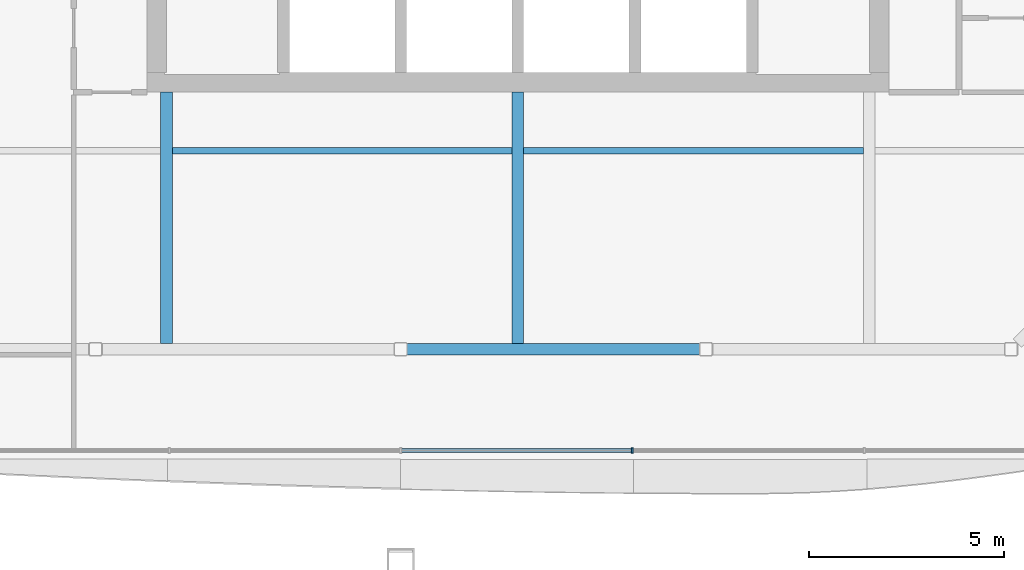
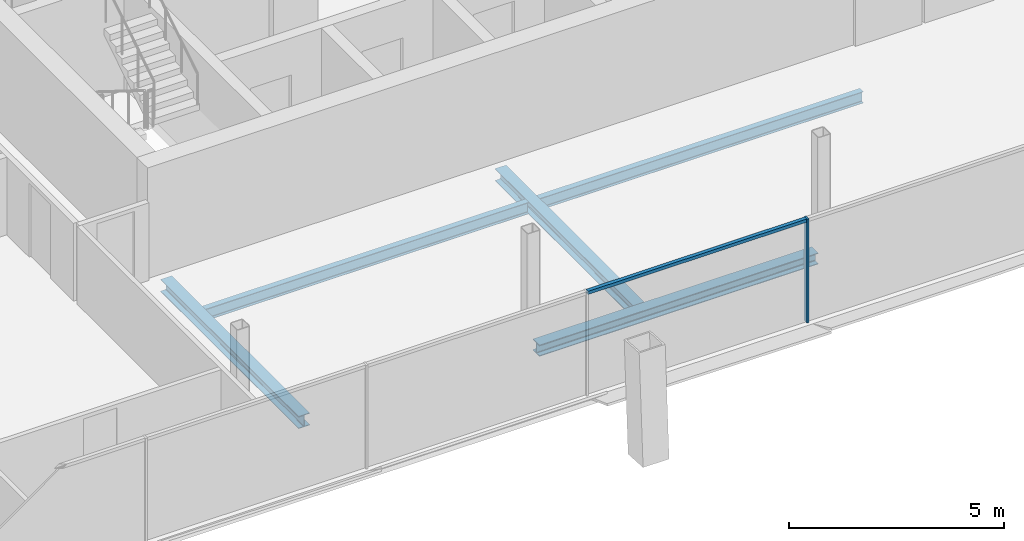
# One storey, part 5 of 20: 5 beams, 2 members, 1 element without a shape of its own.
"""IFC4 building model written with IfcOpenShell, lengths in metres."""

from ifc_helpers import new_model, si_unit, direction, frame, origin, origin_2d, place, context, subcontext, project, spatial, rectangle, i_section, extrude, material, material_profile, profile_set, type_object, element, aggregate, save


model = new_model("IFC4")

# Units and contexts
model_context = context("Model", 3, precision=1e-05, world=origin(), true_north=direction((0.0, 1.0)))
body_context = subcontext(model_context, "Body", "Model", "MODEL_VIEW")
ifc_project = project(units=[si_unit("LENGTHUNIT", "METRE"), si_unit("AREAUNIT", "SQUARE_METRE"), si_unit("VOLUMEUNIT", "CUBIC_METRE"), si_unit("PLANEANGLEUNIT", "RADIAN"), si_unit("MASSUNIT", "GRAM", prefix="KILO")], contexts=[model_context])

# Site, building, storey
site_placement = place(None, origin())
site = spatial("IfcSite", under=ifc_project, at=site_placement, CompositionType="ELEMENT")
building_placement = place(site_placement, origin())
building = spatial("IfcBuilding", under=site, at=building_placement, Name="Tskaro Facet Tower", CompositionType="ELEMENT")
storey_placement = place(building_placement, frame((0.0, 0.0, 175.35009765625)))
storey = spatial("IfcBuildingStorey", under=building, at=storey_placement, Name="L43", CompositionType="ELEMENT", Elevation=175.35009765625)

# Curtain wall, members
ifc_material_1 = material(Name="Bronze anodised aluminium 6063-T6", Category="aluminium")
curtain_wall_type = type_object("IfcCurtainWallType", Name="Bronze residence curtain wall (FW3)", PredefinedType="NOTDEFINED", material=ifc_material_1)
curtain_wall_placement = place(storey_placement, origin())
curtain_wall = element("IfcCurtainWall", 1, at=curtain_wall_placement, inside=storey, type_object=curtain_wall_type, Name="FW3 south facet L43", PredefinedType="NOTDEFINED")
ifc_material_profile_1 = material_profile(ifc_material_1, rectangle(XDim=0.050048828125, YDim=0.139892578125, at=origin_2d()), Name="Mullion 50x140")
ifc_profile_set_1 = profile_set([ifc_material_profile_1], Name="Bronze anodised aluminium 6063-T6")
member_type_1 = type_object("IfcMemberType", Name="FW3 bronze mullion 50x140", PredefinedType="MULLION", material=ifc_profile_set_1)
member_1_placement = place(storey_placement, frame((2.933349609375, -21.176025390625, 0.0), z_axis=(0.0, 0.0, 1.0), x_axis=(1.0, 0.0, 0.0)))
member_1 = element("IfcMember", 2, at=member_1_placement, type_object=member_type_1, Name="FW3 south mullion 4", PredefinedType="MULLION", context=body_context, shape_type="SweptSolid", body=[
    extrude(rectangle(XDim=0.050048828125, YDim=0.139892578125, at=origin_2d()), origin(), (0.0, 0.0, 1.0), 2.949951171875),
])
ifc_material_profile_2 = material_profile(ifc_material_1, rectangle(XDim=0.10009765625, YDim=0.090087890625, at=origin_2d()), Name="Transom 100x90")
ifc_profile_set_2 = profile_set([ifc_material_profile_2], Name="Bronze anodised aluminium 6063-T6")
member_type_2 = type_object("IfcMemberType", Name="FW3 bronze transom 100x90", PredefinedType="USERDEFINED", material=ifc_profile_set_2)
member_2_placement = place(storey_placement, frame((-2.97509765625, -21.176025390625, 2.90478515625), z_axis=(1.0, 0.0, 0.0), x_axis=(0.0, 1.0, 0.0)))
member_2 = element("IfcMember", 3, at=member_2_placement, type_object=member_type_2, Name="FW3 south transom 4.1", ObjectType="TRANSOM", PredefinedType="USERDEFINED", context=body_context, shape_type="SweptSolid", body=[
    extrude(rectangle(XDim=0.10009765625, YDim=0.090087890625, at=origin_2d()), origin(), (0.0, 0.0, 1.0), 5.883544921875),
])
aggregate(curtain_wall, [member_1, member_2])

# Beams
ifc_material_2 = material(Name="Steel S355J2", Category="steel")
ifc_material_profile_3 = material_profile(ifc_material_2, i_section(OverallWidth=0.300048828125, OverallDepth=0.320068359375, WebThickness=0.011474609375, FlangeThickness=0.0205078125, FilletRadius=0.027099609375, at=origin_2d()), Name="HE 320 B")
ifc_profile_set_3 = profile_set([ifc_material_profile_3], Name="Steel S355J2")
beam_type_1 = type_object("IfcBeamType", Name="HE 320 B ring beam", PredefinedType="BEAM", material=ifc_profile_set_3)
beam_placement = place(storey_placement, frame((-2.844970703125, -18.5830078125, -0.300048828125), z_axis=(1.0, 0.0, 0.0), x_axis=(0.0, 1.0, 0.0)))
element("IfcBeam", 4, at=beam_placement, inside=storey, type_object=beam_type_1, Name="HE 320 B EB3-4", PredefinedType="BEAM", context=body_context, shape_type="SweptSolid", body=[
    extrude(i_section(OverallWidth=0.300048828125, OverallDepth=0.320068359375, WebThickness=0.011474609375, FlangeThickness=0.0205078125, FilletRadius=0.027099609375, at=origin_2d()), origin(), (0.0, 0.0, 1.0), 7.507080078125),
])
ifc_material_profile_4 = material_profile(ifc_material_2, i_section(OverallWidth=0.300048828125, OverallDepth=0.35009765625, WebThickness=0.010009765625, FlangeThickness=0.017578125, FilletRadius=0.027099609375, at=origin_2d()), Name="HE 360 A")
ifc_profile_set_4 = profile_set([ifc_material_profile_4], Name="Steel S355J2")
beam_type_2 = type_object("IfcBeamType", Name="HE 360 A girder", PredefinedType="BEAM", material=ifc_profile_set_4)
for number, where, z_axis, x_axis, name in (
    (5, (-9.0, -18.43310546875, -0.315185546875), (0.0, 1.0, 0.0), (-1.0, 0.0, 0.0), "HE 360 A GB3-1-4"),
    (6, (0.0, -18.43310546875, -0.315185546875), (0.0, 1.0, 0.0), (-1.0, 0.0, 0.0), "HE 360 A GB4-1-4"),
):
    element("IfcBeam", number, at=place(storey_placement, frame(where, z_axis=z_axis, x_axis=x_axis)), inside=storey, type_object=beam_type_2, Name=name, PredefinedType="BEAM", context=body_context, shape_type="SweptSolid", body=[
        extrude(i_section(OverallWidth=0.300048828125, OverallDepth=0.35009765625, WebThickness=0.010009765625, FlangeThickness=0.017578125, FilletRadius=0.027099609375, at=origin_2d()), origin(), (0.0, 0.0, 1.0), 6.43310546875),
    ])
ifc_material_profile_5 = material_profile(ifc_material_2, i_section(OverallWidth=0.159912109375, OverallDepth=0.330078125, WebThickness=0.007568359375, FlangeThickness=0.011474609375, FilletRadius=0.01806640625, at=origin_2d()), Name="IPE 330")
ifc_profile_set_5 = profile_set([ifc_material_profile_5], Name="Steel S355J2")
beam_type_3 = type_object("IfcBeamType", Name="IPE 330 secondary beam", PredefinedType="BEAM", material=ifc_profile_set_5)
for number, where, z_axis, x_axis, name in (
    (7, (-8.85009765625, -13.5, -0.30517578125), (1.0, 0.0, 0.0), (0.0, 1.0, 0.0), "IPE 330 SB2a-3-4"),
    (8, (0.14990234375, -13.5, -0.30517578125), (1.0, 0.0, 0.0), (0.0, 1.0, 0.0), "IPE 330 SB2a-4-4"),
):
    element("IfcBeam", number, at=place(storey_placement, frame(where, z_axis=z_axis, x_axis=x_axis)), inside=storey, type_object=beam_type_3, Name=name, PredefinedType="BEAM", context=body_context, shape_type="SweptSolid", body=[
        extrude(i_section(OverallWidth=0.159912109375, OverallDepth=0.330078125, WebThickness=0.007568359375, FlangeThickness=0.011474609375, FilletRadius=0.01806640625, at=origin_2d()), origin(), (0.0, 0.0, 1.0), 8.7001953125),
    ])

save(model, "model.ifc")
